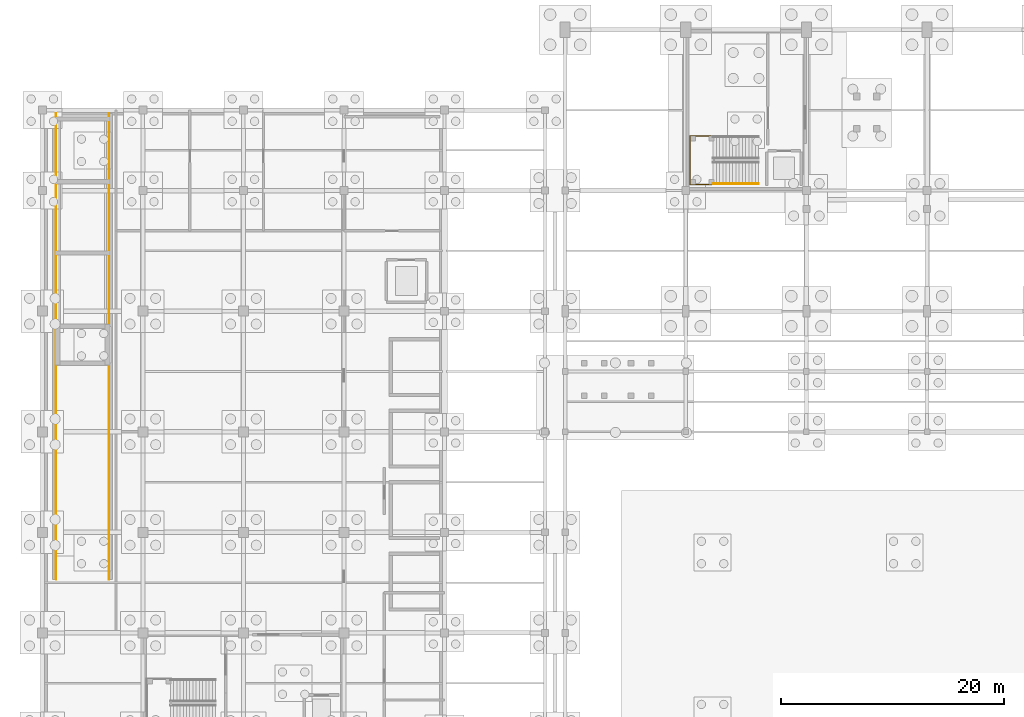
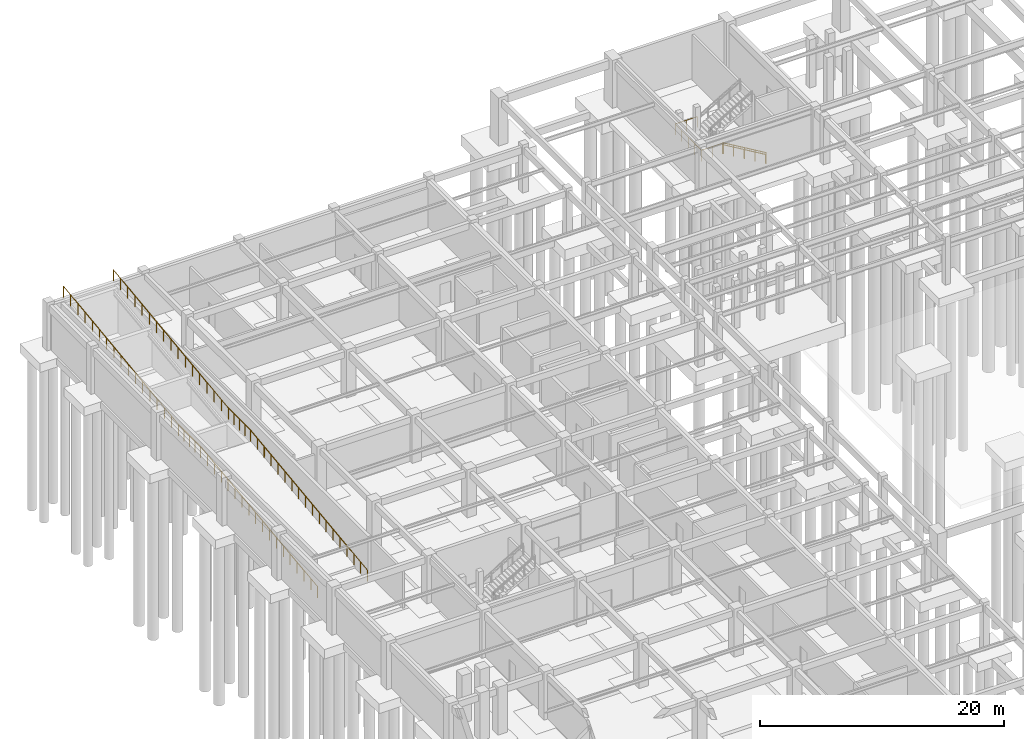
# One storey, part 31 of 33: 5 railings.
"""IFC4 building model written with IfcOpenShell, lengths in metres."""

from ifc_helpers import new_model, si_unit, direction, frame, origin, origin_2d, place, context, subcontext, project, spatial, circle, extrude, material, type_object, element, save


model = new_model("IFC4")

# Units and contexts
model_context = context("Model", 3, precision=1e-05, world=origin(), true_north=direction((0.0, 1.0)))
body_context = subcontext(model_context, "Body", "Model", "MODEL_VIEW")
ifc_project = project(units=[si_unit("LENGTHUNIT", "METRE"), si_unit("AREAUNIT", "SQUARE_METRE"), si_unit("VOLUMEUNIT", "CUBIC_METRE"), si_unit("PLANEANGLEUNIT", "RADIAN"), si_unit("MASSUNIT", "GRAM", prefix="KILO")], contexts=[model_context])

# Site, building, storey
site_placement = place(None, origin())
site = spatial("IfcSite", under=ifc_project, at=site_placement, CompositionType="ELEMENT")
building_placement = place(site_placement, origin())
building = spatial("IfcBuilding", under=site, at=building_placement, Name="Suirenkawa Promenade Aquatics Centre", CompositionType="ELEMENT")
storey_placement = place(building_placement, frame((0.0, 0.0, -4.800048828125)))
storey = spatial("IfcBuildingStorey", under=building, at=storey_placement, Name="B1", CompositionType="ELEMENT", Elevation=-4.800048828125)

# Railings
ifc_material = material(Name="Marine-grade stainless steel Grade 316L", Category="steel")
railing_type_1 = type_object("IfcRailingType", Name="RLT-GUARD-1120", PredefinedType="GUARDRAIL", material=ifc_material)
railing_1_placement = place(storey_placement, frame((64.114990234375, 108.60009765625, 0.0)))
element("IfcRailing", 1, at=railing_1_placement, inside=storey, type_object=railing_type_1, Name="Guardrail GRD-01 RL-0103", PredefinedType="GUARDRAIL", context=body_context, shape_type="SweptSolid", body=[
    extrude(circle(Radius=0.02392578125, at=origin_2d()), frame((0.0, 0.0, 1.09619140625), z_axis=(-0.860831705478, 0.0, 0.508889747237), x_axis=(0.0, -1.0, 0.0)), (0.0, 0.0, 1.0), 4.716552734375),
    extrude(circle(Radius=0.02099609375, at=origin_2d()), origin(), (0.0, 0.0, 1.0), 1.072021484375),
    extrude(circle(Radius=0.02099609375, at=origin_2d()), frame((-1.01513671875, 0.0, 0.60009765625)), (0.0, 0.0, 1.0), 1.072021484375),
    extrude(circle(Radius=0.02099609375, at=origin_2d()), frame((-2.030029296875, 0.0, 1.2001953125)), (0.0, 0.0, 1.0), 1.072021484375),
    extrude(circle(Radius=0.02099609375, at=origin_2d()), frame((-3.044921875, 0.0, 1.800048828125)), (0.0, 0.0, 1.0), 1.072021484375),
    extrude(circle(Radius=0.02099609375, at=origin_2d()), frame((-4.06005859375, 0.0, 2.400146484375)), (0.0, 0.0, 1.0), 1.072021484375),
])
railing_2_placement = place(storey_placement, frame((60.1201171875, 108.550048828125, 2.400146484375)))
element("IfcRailing", 2, at=railing_2_placement, inside=storey, type_object=railing_type_1, Name="Guardrail GRD-01 RL-0109", PredefinedType="GUARDRAIL", context=body_context, shape_type="SweptSolid", body=[
    extrude(circle(Radius=0.02392578125, at=origin_2d()), frame((0.0, 0.0, 1.09619140625), z_axis=(-1.0, 0.0, 0.0), x_axis=(0.0, -1.0, 0.0)), (0.0, 0.0, 1.0), 2.130126953125),
    extrude(circle(Radius=0.02392578125, at=origin_2d()), frame((-2.130126953125, 0.0, 1.09619140625), z_axis=(0.0, 1.0, 0.0), x_axis=(-1.0, 0.0, 0.0)), (0.0, 0.0, 1.0), 4.329833984375),
    extrude(circle(Radius=0.02392578125, at=origin_2d()), frame((-2.130126953125, 4.329833984375, 1.09619140625), z_axis=(1.0, 0.0, 0.0), x_axis=(0.0, 1.0, 0.0)), (0.0, 0.0, 1.0), 2.130126953125),
    extrude(circle(Radius=0.02099609375, at=origin_2d()), origin(), (0.0, 0.0, 1.0), 1.072021484375),
    extrude(circle(Radius=0.02099609375, at=origin_2d()), frame((-1.06494140625, 0.0, 0.0)), (0.0, 0.0, 1.0), 1.072021484375),
    extrude(circle(Radius=0.02099609375, at=origin_2d()), frame((-2.130126953125, 0.0, 0.0)), (0.0, 0.0, 1.0), 1.072021484375),
    extrude(circle(Radius=0.02099609375, at=origin_2d()), frame((-2.130126953125, 1.08251953125, 0.0)), (0.0, 0.0, 1.0), 1.072021484375),
    extrude(circle(Radius=0.02099609375, at=origin_2d()), frame((-2.130126953125, 2.1650390625, 0.0)), (0.0, 0.0, 1.0), 1.072021484375),
    extrude(circle(Radius=0.02099609375, at=origin_2d()), frame((-2.130126953125, 3.247314453125, 0.0)), (0.0, 0.0, 1.0), 1.072021484375),
    extrude(circle(Radius=0.02099609375, at=origin_2d()), frame((-2.130126953125, 4.329833984375, 0.0)), (0.0, 0.0, 1.0), 1.072021484375),
    extrude(circle(Radius=0.02099609375, at=origin_2d()), frame((-1.06494140625, 4.329833984375, 0.0)), (0.0, 0.0, 1.0), 1.072021484375),
    extrude(circle(Radius=0.02099609375, at=origin_2d()), frame((0.0, 4.329833984375, 0.0)), (0.0, 0.0, 1.0), 1.072021484375),
])
railing_3_placement = place(storey_placement, frame((1.239990234375, 73.199951171875, 0.0)))
element("IfcRailing", 3, at=railing_3_placement, inside=storey, type_object=railing_type_1, Name="Guardrail GRD-01 RL-0381", PredefinedType="GUARDRAIL", context=body_context, shape_type="SweptSolid", body=[
    extrude(circle(Radius=0.02392578125, at=origin_2d()), frame((0.0, 0.0, 1.09619140625), z_axis=(0.0, 0.992276906107, 0.124042499192), x_axis=(-1.0, 0.0, 0.0)), (0.0, 0.0, 1.0), 19.349365234375),
    extrude(circle(Radius=0.02392578125, at=origin_2d()), frame((0.0, 19.199951171875, 3.49609375), z_axis=(0.0, 1.0, 0.0), x_axis=(-1.0, 0.0, 0.0)), (0.0, 0.0, 1.0), 3.60009765625),
    extrude(circle(Radius=0.02392578125, at=origin_2d()), frame((0.0, 22.800048828125, 3.49609375), z_axis=(0.0, 0.992034288442, 0.125968133095), x_axis=(-1.0, 0.0, 0.0)), (0.0, 0.0, 1.0), 19.0517578125),
    extrude(circle(Radius=0.02099609375, at=origin_2d()), origin(), (0.0, 0.0, 1.0), 1.072021484375),
    extrude(circle(Radius=0.02099609375, at=origin_2d()), frame((0.0, 1.12939453125, 0.14111328125)), (0.0, 0.0, 1.0), 1.072021484375),
    extrude(circle(Radius=0.02099609375, at=origin_2d()), frame((0.0, 2.2587890625, 0.282470703125)), (0.0, 0.0, 1.0), 1.072021484375),
    extrude(circle(Radius=0.02099609375, at=origin_2d()), frame((0.0, 3.38818359375, 0.423583984375)), (0.0, 0.0, 1.0), 1.072021484375),
    extrude(circle(Radius=0.02099609375, at=origin_2d()), frame((0.0, 4.517578125, 0.564697265625)), (0.0, 0.0, 1.0), 1.072021484375),
    extrude(circle(Radius=0.02099609375, at=origin_2d()), frame((0.0, 5.64697265625, 0.705810546875)), (0.0, 0.0, 1.0), 1.072021484375),
    extrude(circle(Radius=0.02099609375, at=origin_2d()), frame((0.0, 6.7763671875, 0.84716796875)), (0.0, 0.0, 1.0), 1.072021484375),
    extrude(circle(Radius=0.02099609375, at=origin_2d()), frame((0.0, 7.90576171875, 0.98828125)), (0.0, 0.0, 1.0), 1.072021484375),
    extrude(circle(Radius=0.02099609375, at=origin_2d()), frame((0.0, 9.03515625, 1.12939453125)), (0.0, 0.0, 1.0), 1.072021484375),
    extrude(circle(Radius=0.02099609375, at=origin_2d()), frame((0.0, 10.164794921875, 1.270751953125)), (0.0, 0.0, 1.0), 1.072021484375),
    extrude(circle(Radius=0.02099609375, at=origin_2d()), frame((0.0, 11.294189453125, 1.411865234375)), (0.0, 0.0, 1.0), 1.072021484375),
    extrude(circle(Radius=0.02099609375, at=origin_2d()), frame((0.0, 12.423583984375, 1.552978515625)), (0.0, 0.0, 1.0), 1.072021484375),
    extrude(circle(Radius=0.02099609375, at=origin_2d()), frame((0.0, 13.552978515625, 1.6943359375)), (0.0, 0.0, 1.0), 1.072021484375),
    extrude(circle(Radius=0.02099609375, at=origin_2d()), frame((0.0, 14.682373046875, 1.83544921875)), (0.0, 0.0, 1.0), 1.072021484375),
    extrude(circle(Radius=0.02099609375, at=origin_2d()), frame((0.0, 15.811767578125, 1.9765625)), (0.0, 0.0, 1.0), 1.072021484375),
    extrude(circle(Radius=0.02099609375, at=origin_2d()), frame((0.0, 16.941162109375, 2.11767578125)), (0.0, 0.0, 1.0), 1.072021484375),
    extrude(circle(Radius=0.02099609375, at=origin_2d()), frame((0.0, 18.070556640625, 2.259033203125)), (0.0, 0.0, 1.0), 1.072021484375),
    extrude(circle(Radius=0.02099609375, at=origin_2d()), frame((0.0, 19.199951171875, 2.400146484375)), (0.0, 0.0, 1.0), 1.072021484375),
    extrude(circle(Radius=0.02099609375, at=origin_2d()), frame((0.0, 20.10009765625, 2.400146484375)), (0.0, 0.0, 1.0), 1.072021484375),
    extrude(circle(Radius=0.02099609375, at=origin_2d()), frame((0.0, 21.0, 2.400146484375)), (0.0, 0.0, 1.0), 1.072021484375),
    extrude(circle(Radius=0.02099609375, at=origin_2d()), frame((0.0, 21.89990234375, 2.400146484375)), (0.0, 0.0, 1.0), 1.072021484375),
    extrude(circle(Radius=0.02099609375, at=origin_2d()), frame((0.0, 22.800048828125, 2.400146484375)), (0.0, 0.0, 1.0), 1.072021484375),
    extrude(circle(Radius=0.02099609375, at=origin_2d()), frame((0.0, 23.981201171875, 2.550048828125)), (0.0, 0.0, 1.0), 1.072021484375),
    extrude(circle(Radius=0.02099609375, at=origin_2d()), frame((0.0, 25.16259765625, 2.7001953125)), (0.0, 0.0, 1.0), 1.072021484375),
    extrude(circle(Radius=0.02099609375, at=origin_2d()), frame((0.0, 26.34375, 2.85009765625)), (0.0, 0.0, 1.0), 1.072021484375),
    extrude(circle(Radius=0.02099609375, at=origin_2d()), frame((0.0, 27.52490234375, 3.0)), (0.0, 0.0, 1.0), 1.072021484375),
    extrude(circle(Radius=0.02099609375, at=origin_2d()), frame((0.0, 28.706298828125, 3.150146484375)), (0.0, 0.0, 1.0), 1.072021484375),
    extrude(circle(Radius=0.02099609375, at=origin_2d()), frame((0.0, 29.887451171875, 3.300048828125)), (0.0, 0.0, 1.0), 1.072021484375),
    extrude(circle(Radius=0.02099609375, at=origin_2d()), frame((0.0, 31.06884765625, 3.4501953125)), (0.0, 0.0, 1.0), 1.072021484375),
    extrude(circle(Radius=0.02099609375, at=origin_2d()), frame((0.0, 32.25, 3.60009765625)), (0.0, 0.0, 1.0), 1.072021484375),
    extrude(circle(Radius=0.02099609375, at=origin_2d()), frame((0.0, 33.43115234375, 3.75)), (0.0, 0.0, 1.0), 1.072021484375),
    extrude(circle(Radius=0.02099609375, at=origin_2d()), frame((0.0, 34.612548828125, 3.900146484375)), (0.0, 0.0, 1.0), 1.072021484375),
    extrude(circle(Radius=0.02099609375, at=origin_2d()), frame((0.0, 35.793701171875, 4.050048828125)), (0.0, 0.0, 1.0), 1.072021484375),
    extrude(circle(Radius=0.02099609375, at=origin_2d()), frame((0.0, 36.97509765625, 4.2001953125)), (0.0, 0.0, 1.0), 1.072021484375),
    extrude(circle(Radius=0.02099609375, at=origin_2d()), frame((0.0, 38.15625, 4.35009765625)), (0.0, 0.0, 1.0), 1.072021484375),
    extrude(circle(Radius=0.02099609375, at=origin_2d()), frame((0.0, 39.33740234375, 4.5)), (0.0, 0.0, 1.0), 1.072021484375),
    extrude(circle(Radius=0.02099609375, at=origin_2d()), frame((0.0, 40.518798828125, 4.650146484375)), (0.0, 0.0, 1.0), 1.072021484375),
    extrude(circle(Radius=0.02099609375, at=origin_2d()), frame((0.0, 41.699951171875, 4.800048828125)), (0.0, 0.0, 1.0), 1.072021484375),
])
railing_4_placement = place(storey_placement, frame((5.9599609375, 73.199951171875, 0.0)))
element("IfcRailing", 4, at=railing_4_placement, inside=storey, type_object=railing_type_1, Name="Guardrail GRD-01 RL-0382", PredefinedType="GUARDRAIL", context=body_context, shape_type="SweptSolid", body=[
    extrude(circle(Radius=0.02392578125, at=origin_2d()), frame((0.0, 0.0, 1.09619140625), z_axis=(0.0, 0.992276906107, 0.124042499192), x_axis=(-1.0, 0.0, 0.0)), (0.0, 0.0, 1.0), 19.349365234375),
    extrude(circle(Radius=0.02392578125, at=origin_2d()), frame((0.0, 19.199951171875, 3.49609375), z_axis=(0.0, 1.0, 0.0), x_axis=(-1.0, 0.0, 0.0)), (0.0, 0.0, 1.0), 3.60009765625),
    extrude(circle(Radius=0.02392578125, at=origin_2d()), frame((0.0, 22.800048828125, 3.49609375), z_axis=(0.0, 0.992034288442, 0.125968133095), x_axis=(-1.0, 0.0, 0.0)), (0.0, 0.0, 1.0), 19.0517578125),
    extrude(circle(Radius=0.02099609375, at=origin_2d()), origin(), (0.0, 0.0, 1.0), 1.072021484375),
    extrude(circle(Radius=0.02099609375, at=origin_2d()), frame((0.0, 1.12939453125, 0.14111328125)), (0.0, 0.0, 1.0), 1.072021484375),
    extrude(circle(Radius=0.02099609375, at=origin_2d()), frame((0.0, 2.2587890625, 0.282470703125)), (0.0, 0.0, 1.0), 1.072021484375),
    extrude(circle(Radius=0.02099609375, at=origin_2d()), frame((0.0, 3.38818359375, 0.423583984375)), (0.0, 0.0, 1.0), 1.072021484375),
    extrude(circle(Radius=0.02099609375, at=origin_2d()), frame((0.0, 4.517578125, 0.564697265625)), (0.0, 0.0, 1.0), 1.072021484375),
    extrude(circle(Radius=0.02099609375, at=origin_2d()), frame((0.0, 5.64697265625, 0.705810546875)), (0.0, 0.0, 1.0), 1.072021484375),
    extrude(circle(Radius=0.02099609375, at=origin_2d()), frame((0.0, 6.7763671875, 0.84716796875)), (0.0, 0.0, 1.0), 1.072021484375),
    extrude(circle(Radius=0.02099609375, at=origin_2d()), frame((0.0, 7.90576171875, 0.98828125)), (0.0, 0.0, 1.0), 1.072021484375),
    extrude(circle(Radius=0.02099609375, at=origin_2d()), frame((0.0, 9.03515625, 1.12939453125)), (0.0, 0.0, 1.0), 1.072021484375),
    extrude(circle(Radius=0.02099609375, at=origin_2d()), frame((0.0, 10.164794921875, 1.270751953125)), (0.0, 0.0, 1.0), 1.072021484375),
    extrude(circle(Radius=0.02099609375, at=origin_2d()), frame((0.0, 11.294189453125, 1.411865234375)), (0.0, 0.0, 1.0), 1.072021484375),
    extrude(circle(Radius=0.02099609375, at=origin_2d()), frame((0.0, 12.423583984375, 1.552978515625)), (0.0, 0.0, 1.0), 1.072021484375),
    extrude(circle(Radius=0.02099609375, at=origin_2d()), frame((0.0, 13.552978515625, 1.6943359375)), (0.0, 0.0, 1.0), 1.072021484375),
    extrude(circle(Radius=0.02099609375, at=origin_2d()), frame((0.0, 14.682373046875, 1.83544921875)), (0.0, 0.0, 1.0), 1.072021484375),
    extrude(circle(Radius=0.02099609375, at=origin_2d()), frame((0.0, 15.811767578125, 1.9765625)), (0.0, 0.0, 1.0), 1.072021484375),
    extrude(circle(Radius=0.02099609375, at=origin_2d()), frame((0.0, 16.941162109375, 2.11767578125)), (0.0, 0.0, 1.0), 1.072021484375),
    extrude(circle(Radius=0.02099609375, at=origin_2d()), frame((0.0, 18.070556640625, 2.259033203125)), (0.0, 0.0, 1.0), 1.072021484375),
    extrude(circle(Radius=0.02099609375, at=origin_2d()), frame((0.0, 19.199951171875, 2.400146484375)), (0.0, 0.0, 1.0), 1.072021484375),
    extrude(circle(Radius=0.02099609375, at=origin_2d()), frame((0.0, 20.10009765625, 2.400146484375)), (0.0, 0.0, 1.0), 1.072021484375),
    extrude(circle(Radius=0.02099609375, at=origin_2d()), frame((0.0, 21.0, 2.400146484375)), (0.0, 0.0, 1.0), 1.072021484375),
    extrude(circle(Radius=0.02099609375, at=origin_2d()), frame((0.0, 21.89990234375, 2.400146484375)), (0.0, 0.0, 1.0), 1.072021484375),
    extrude(circle(Radius=0.02099609375, at=origin_2d()), frame((0.0, 22.800048828125, 2.400146484375)), (0.0, 0.0, 1.0), 1.072021484375),
    extrude(circle(Radius=0.02099609375, at=origin_2d()), frame((0.0, 23.981201171875, 2.550048828125)), (0.0, 0.0, 1.0), 1.072021484375),
    extrude(circle(Radius=0.02099609375, at=origin_2d()), frame((0.0, 25.16259765625, 2.7001953125)), (0.0, 0.0, 1.0), 1.072021484375),
    extrude(circle(Radius=0.02099609375, at=origin_2d()), frame((0.0, 26.34375, 2.85009765625)), (0.0, 0.0, 1.0), 1.072021484375),
    extrude(circle(Radius=0.02099609375, at=origin_2d()), frame((0.0, 27.52490234375, 3.0)), (0.0, 0.0, 1.0), 1.072021484375),
    extrude(circle(Radius=0.02099609375, at=origin_2d()), frame((0.0, 28.706298828125, 3.150146484375)), (0.0, 0.0, 1.0), 1.072021484375),
    extrude(circle(Radius=0.02099609375, at=origin_2d()), frame((0.0, 29.887451171875, 3.300048828125)), (0.0, 0.0, 1.0), 1.072021484375),
    extrude(circle(Radius=0.02099609375, at=origin_2d()), frame((0.0, 31.06884765625, 3.4501953125)), (0.0, 0.0, 1.0), 1.072021484375),
    extrude(circle(Radius=0.02099609375, at=origin_2d()), frame((0.0, 32.25, 3.60009765625)), (0.0, 0.0, 1.0), 1.072021484375),
    extrude(circle(Radius=0.02099609375, at=origin_2d()), frame((0.0, 33.43115234375, 3.75)), (0.0, 0.0, 1.0), 1.072021484375),
    extrude(circle(Radius=0.02099609375, at=origin_2d()), frame((0.0, 34.612548828125, 3.900146484375)), (0.0, 0.0, 1.0), 1.072021484375),
    extrude(circle(Radius=0.02099609375, at=origin_2d()), frame((0.0, 35.793701171875, 4.050048828125)), (0.0, 0.0, 1.0), 1.072021484375),
    extrude(circle(Radius=0.02099609375, at=origin_2d()), frame((0.0, 36.97509765625, 4.2001953125)), (0.0, 0.0, 1.0), 1.072021484375),
    extrude(circle(Radius=0.02099609375, at=origin_2d()), frame((0.0, 38.15625, 4.35009765625)), (0.0, 0.0, 1.0), 1.072021484375),
    extrude(circle(Radius=0.02099609375, at=origin_2d()), frame((0.0, 39.33740234375, 4.5)), (0.0, 0.0, 1.0), 1.072021484375),
    extrude(circle(Radius=0.02099609375, at=origin_2d()), frame((0.0, 40.518798828125, 4.650146484375)), (0.0, 0.0, 1.0), 1.072021484375),
    extrude(circle(Radius=0.02099609375, at=origin_2d()), frame((0.0, 41.699951171875, 4.800048828125)), (0.0, 0.0, 1.0), 1.072021484375),
])
railing_type_2 = type_object("IfcRailingType", Name="RLT-HANDRAIL-900", PredefinedType="HANDRAIL", material=ifc_material)
railing_5_placement = place(storey_placement, frame((64.114990234375, 108.64990234375, 0.0)))
element("IfcRailing", 5, at=railing_5_placement, inside=storey, type_object=railing_type_2, Name="Handrail HRL-01 RL-0104", PredefinedType="HANDRAIL", context=body_context, shape_type="SweptSolid", body=[
    extrude(circle(Radius=0.02392578125, at=origin_2d()), frame((0.0, 0.0, 0.8759765625), z_axis=(-0.860831705478, 0.0, 0.508889747237), x_axis=(0.0, -1.0, 0.0)), (0.0, 0.0, 1.0), 4.716552734375),
    extrude(circle(Radius=0.02099609375, at=origin_2d()), origin(), (0.0, 0.0, 1.0), 0.851806640625),
    extrude(circle(Radius=0.02099609375, at=origin_2d()), frame((-1.01513671875, 0.0, 0.60009765625)), (0.0, 0.0, 1.0), 0.851806640625),
    extrude(circle(Radius=0.02099609375, at=origin_2d()), frame((-2.030029296875, 0.0, 1.2001953125)), (0.0, 0.0, 1.0), 0.851806640625),
    extrude(circle(Radius=0.02099609375, at=origin_2d()), frame((-3.044921875, 0.0, 1.800048828125)), (0.0, 0.0, 1.0), 0.851806640625),
    extrude(circle(Radius=0.02099609375, at=origin_2d()), frame((-4.06005859375, 0.0, 2.400146484375)), (0.0, 0.0, 1.0), 0.851806640625),
])

save(model, "model.ifc")
